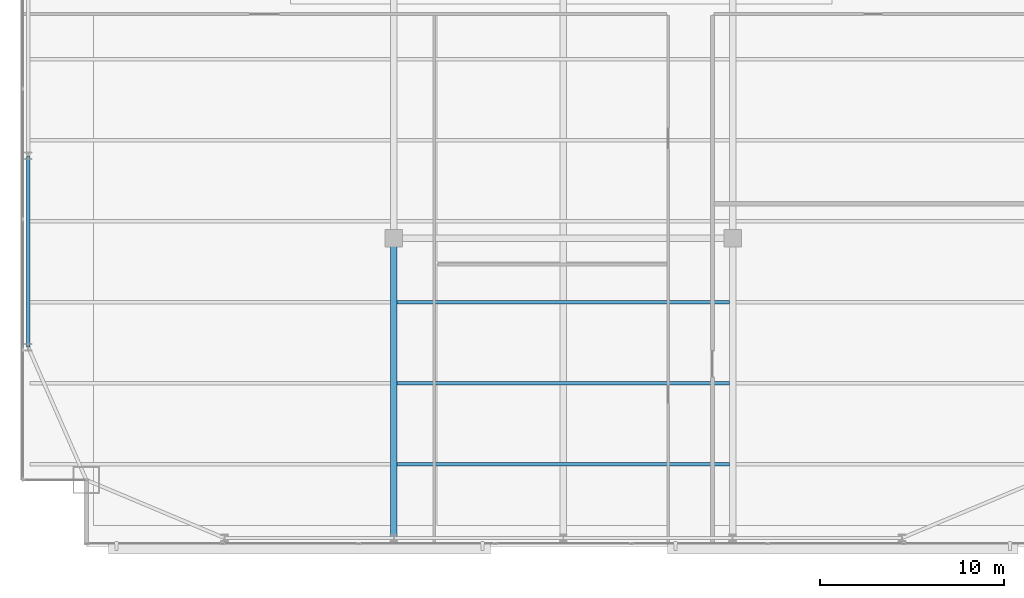
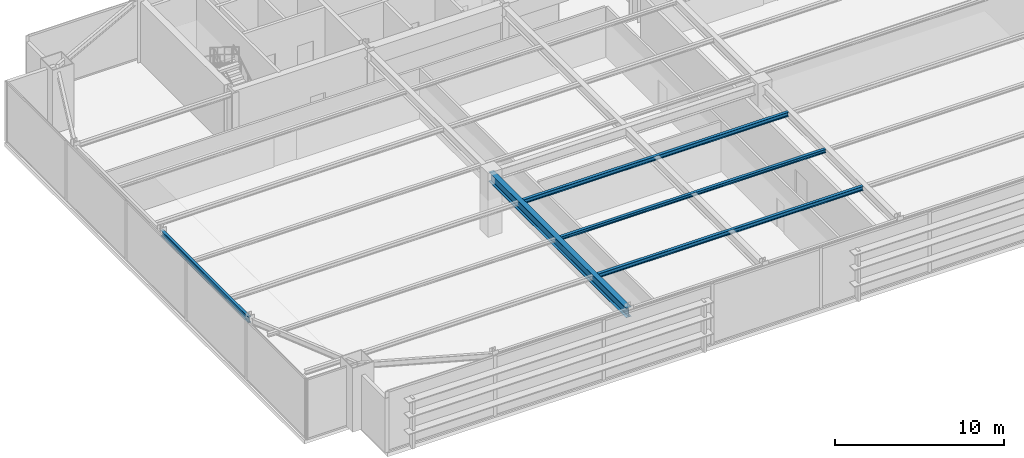
# One storey, part 10 of 32: 5 beams.
"""IFC4 building model written with IfcOpenShell, lengths in metres."""

from ifc_helpers import new_model, si_unit, direction, frame, origin, origin_2d, place, context, subcontext, project, spatial, i_section, extrude, source, transform, mapped, material, material_profile, profile_set, type_object, type_shapes, element, save


model = new_model("IFC4")

# Units and contexts
model_context = context("Model", 3, precision=1e-05, world=origin(), true_north=direction((0.0, 1.0)))
body_context = subcontext(model_context, "Body", "Model", "MODEL_VIEW")
ifc_project = project(units=[si_unit("LENGTHUNIT", "METRE"), si_unit("AREAUNIT", "SQUARE_METRE"), si_unit("VOLUMEUNIT", "CUBIC_METRE"), si_unit("PLANEANGLEUNIT", "RADIAN"), si_unit("MASSUNIT", "GRAM", prefix="KILO")], contexts=[model_context])

# Site, building, storey
site_placement = place(None, origin())
site = spatial("IfcSite", under=ifc_project, at=site_placement, CompositionType="ELEMENT")
building_placement = place(site_placement, origin())
building = spatial("IfcBuilding", under=site, at=building_placement, Name="Varnel Quay Broadcast Tower", CompositionType="ELEMENT")
storey_placement = place(building_placement, frame((0.0, 0.0, 98.39990234375)))
storey = spatial("IfcBuildingStorey", under=building, at=storey_placement, Name="L23", CompositionType="ELEMENT", Elevation=98.39990234375)

# Beams
ifc_material = material(Name="Structural Steel CSA G40.21 350W", Category="steel")
ifc_material_profile_1 = material_profile(ifc_material, i_section(OverallWidth=0.180908203125, OverallDepth=0.4169921875, WebThickness=0.010986328125, FlangeThickness=0.018310546875, FilletRadius=0.011962890625, at=origin_2d()), Name="W410X85")
ifc_profile_set_1 = profile_set([ifc_material_profile_1], Name="Structural Steel CSA G40.21 350W")
beam_type_1 = type_object("IfcBeamType", Name="Beam_W410X85", PredefinedType="SPANDREL", material=ifc_profile_set_1)
shared_shape_1 = source(origin(), body_context, "Body", "SweptSolid", [
    extrude(i_section(OverallWidth=0.180908203125, OverallDepth=0.4169921875, WebThickness=0.010986328125, FlangeThickness=0.018310546875, FilletRadius=0.011962890625, at=origin_2d()), origin(), (0.0, 0.0, 1.0), 10.35986328125),
])
type_shapes(beam_type_1, [shared_shape_1])
beam_1_placement = place(storey_placement, frame((4.949951171875, 15.02001953125, 4.1416015625), z_axis=(0.0, 1.0, 0.0), x_axis=(-1.0, 0.0, 0.0)))
element("IfcBeam", 1, at=beam_1_placement, inside=storey, type_object=beam_type_1, Name="L23 West Spandrel TC-W1-TC-W2", PredefinedType="SPANDREL", context=body_context, shape_type="MappedRepresentation", body=[
    mapped(shared_shape_1, transform((0.0, 0.0, 0.0), x_axis=(1.0, 0.0, 0.0), y_axis=(0.0, 1.0, 0.0), z_axis=(0.0, 0.0, 1.0), scale=1.0)),
])
ifc_material_profile_2 = material_profile(ifc_material, i_section(OverallWidth=0.35498046875, OverallDepth=0.695068359375, WebThickness=0.015380859375, FlangeThickness=0.02490234375, FilletRadius=0.01806640625, at=origin_2d()), Name="W690X217")
ifc_profile_set_2 = profile_set([ifc_material_profile_2], Name="Structural Steel CSA G40.21 350W")
beam_type_2 = type_object("IfcBeamType", Name="Girder_W690X217", PredefinedType="BEAM", material=ifc_profile_set_2)
shared_shape_2 = source(origin(), body_context, "Body", "SweptSolid", [
    extrude(i_section(OverallWidth=0.35498046875, OverallDepth=0.695068359375, WebThickness=0.015380859375, FlangeThickness=0.02490234375, FilletRadius=0.01806640625, at=origin_2d()), origin(), (0.0, 0.0, 1.0), 16.239990234375),
])
type_shapes(beam_type_2, [shared_shape_2])
beam_2_placement = place(storey_placement, frame((24.800048828125, 4.669921875, 4.002685546875), z_axis=(0.0, 1.0, 0.0), x_axis=(-1.0, 0.0, 0.0)))
element("IfcBeam", 2, at=beam_2_placement, inside=storey, type_object=beam_type_2, Name="L23 Primary Girder TC-S2-IC-01", PredefinedType="BEAM", context=body_context, shape_type="MappedRepresentation", body=[
    mapped(shared_shape_2, transform((0.0, 0.0, 0.0), x_axis=(1.0, 0.0, 0.0), y_axis=(0.0, 1.0, 0.0), z_axis=(0.0, 0.0, 1.0), scale=1.0)),
])
ifc_material_profile_3 = material_profile(ifc_material, i_section(OverallWidth=0.202880859375, OverallDepth=0.302978515625, WebThickness=0.007568359375, FlangeThickness=0.01318359375, FilletRadius=0.011962890625, at=origin_2d()), Name="W310X60")
ifc_profile_set_3 = profile_set([ifc_material_profile_3], Name="Structural Steel CSA G40.21 350W")
beam_type_3 = type_object("IfcBeamType", Name="Beam_W310X60", PredefinedType="JOIST", material=ifc_profile_set_3)
shared_shape_3 = source(origin(), body_context, "Body", "SweptSolid", [
    extrude(i_section(OverallWidth=0.202880859375, OverallDepth=0.302978515625, WebThickness=0.007568359375, FlangeThickness=0.01318359375, FilletRadius=0.011962890625, at=origin_2d()), origin(), (0.0, 0.0, 1.0), 18.05517578125),
])
type_shapes(beam_type_3, [shared_shape_3])
for number, where, z_axis, x_axis, name in (
    (3, (24.972412109375, 8.64990234375, 4.198486328125), (1.0, 0.0, 0.0), (0.0, 1.0, 0.0), "L23 Central Floor Joist 1"),
    (4, (24.972412109375, 17.449951171875, 4.198486328125), (1.0, 0.0, 0.0), (0.0, 1.0, 0.0), "L23 Central Floor Joist 3"),
):
    element("IfcBeam", number, at=place(storey_placement, frame(where, z_axis=z_axis, x_axis=x_axis)), inside=storey, type_object=beam_type_3, Name=name, PredefinedType="JOIST", context=body_context, shape_type="MappedRepresentation", body=[
        mapped(shared_shape_3, transform((0.0, 0.0, 0.0), x_axis=(1.0, 0.0, 0.0), y_axis=(0.0, 1.0, 0.0), z_axis=(0.0, 0.0, 1.0), scale=1.0)),
    ])
ifc_material_profile_4 = material_profile(ifc_material, i_section(OverallWidth=0.201904296875, OverallDepth=0.2470703125, WebThickness=0.00732421875, FlangeThickness=0.010986328125, FilletRadius=0.010986328125, at=origin_2d()), Name="W250X49")
ifc_profile_set_4 = profile_set([ifc_material_profile_4], Name="Structural Steel CSA G40.21 350W")
beam_type_4 = type_object("IfcBeamType", Name="Beam_W250X49", PredefinedType="JOIST", material=ifc_profile_set_4)
shared_shape_4 = source(origin(), body_context, "Body", "SweptSolid", [
    extrude(i_section(OverallWidth=0.201904296875, OverallDepth=0.2470703125, WebThickness=0.00732421875, FlangeThickness=0.010986328125, FilletRadius=0.010986328125, at=origin_2d()), origin(), (0.0, 0.0, 1.0), 18.05517578125),
])
type_shapes(beam_type_4, [shared_shape_4])
beam_3_placement = place(storey_placement, frame((24.972412109375, 13.050048828125, 4.2265625), z_axis=(1.0, 0.0, 0.0), x_axis=(0.0, 1.0, 0.0)))
element("IfcBeam", 5, at=beam_3_placement, inside=storey, type_object=beam_type_4, Name="L23 Central Floor Joist 2", PredefinedType="JOIST", context=body_context, shape_type="MappedRepresentation", body=[
    mapped(shared_shape_4, transform((0.0, 0.0, 0.0), x_axis=(1.0, 0.0, 0.0), y_axis=(0.0, 1.0, 0.0), z_axis=(0.0, 0.0, 1.0), scale=1.0)),
])

save(model, "model.ifc")
